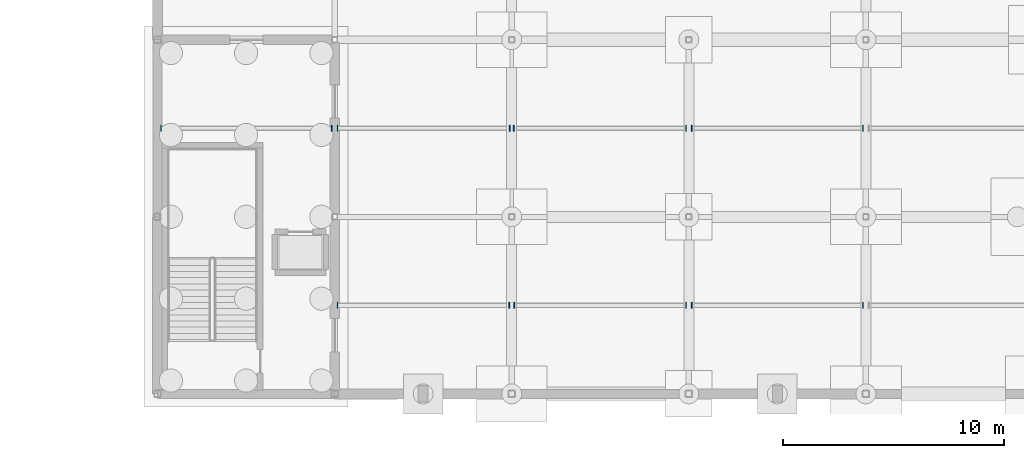
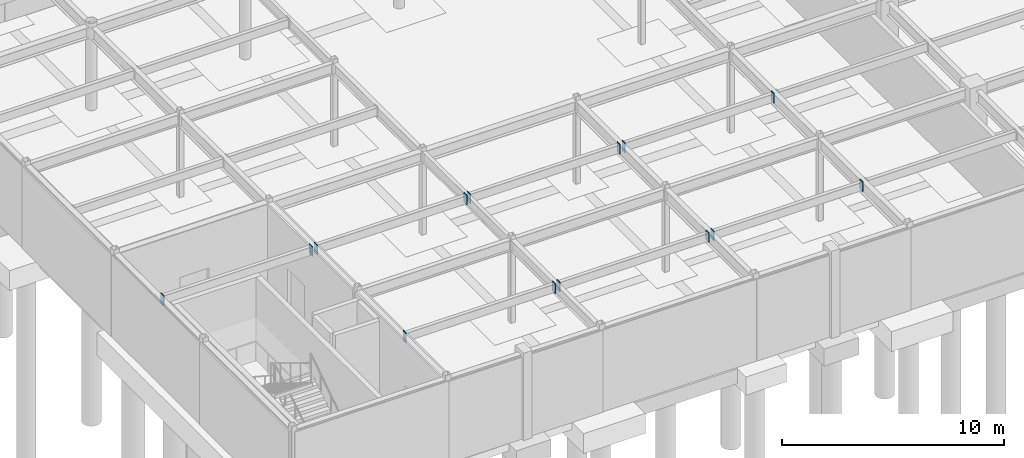
# One storey, part 63 of 105: 14 discrete accessories.
"""IFC4 building model written with IfcOpenShell, lengths in metres."""

from ifc_helpers import new_model, si_unit, direction, frame, origin, origin_2d, place, context, subcontext, project, spatial, rectangle, extrude, material, layer, layer_set, type_object, element, save


model = new_model("IFC4")

# Units and contexts
model_context = context("Model", 3, precision=1e-05, world=origin(), true_north=direction((0.0, 1.0)))
body_context = subcontext(model_context, "Body", "Model", "MODEL_VIEW")
ifc_project = project(units=[si_unit("LENGTHUNIT", "METRE"), si_unit("AREAUNIT", "SQUARE_METRE"), si_unit("VOLUMEUNIT", "CUBIC_METRE"), si_unit("PLANEANGLEUNIT", "RADIAN"), si_unit("MASSUNIT", "GRAM", prefix="KILO")], contexts=[model_context])

# Site, building, storey
site_placement = place(None, origin())
site = spatial("IfcSite", under=ifc_project, at=site_placement, CompositionType="ELEMENT")
building_placement = place(site_placement, origin())
building = spatial("IfcBuilding", under=site, at=building_placement, Name="Solmirada Galleria", CompositionType="ELEMENT")
storey_placement = place(building_placement, frame((0.0, 0.0, -4.800048828125)))
storey = spatial("IfcBuildingStorey", under=building, at=storey_placement, Name="B1", CompositionType="ELEMENT", Elevation=-4.800048828125)

# Discrete accessories
ifc_material = material(Name="Steel S355 / ASTM A572 Grade 50", Category="steel")
ifc_layer = layer(ifc_material, 0.031982421875)
ifc_layer_set = layer_set([ifc_layer], Name="Steel S355 / ASTM A572 Grade 50")
discrete_accessory_type = type_object("IfcDiscreteAccessoryType", Name="ACC-COL-CAP", PredefinedType="BRACKET", material=ifc_layer_set)
for number, where, z_axis, x_axis, name in (
    (1, (40.152587890625, 12.0, 4.08154296875), (0.0, 0.0, 1.0), (1.0, 0.0, 0.0), "Hollow joist end plate L00-06-02-L"),
    (2, (47.8720703125, 12.0, 4.08154296875), (0.0, 0.0, 1.0), (1.0, 0.0, 0.0), "Hollow joist end plate L00-06-02-R"),
    (3, (48.1279296875, 4.0, 4.08154296875), (0.0, 0.0, 1.0), (1.0, 0.0, 0.0), "Hollow joist end plate L00-07-01-L"),
    (4, (55.885986328125, 4.0, 4.08154296875), (0.0, 0.0, 1.0), (1.0, 0.0, 0.0), "Hollow joist end plate L00-07-01-R"),
    (5, (48.1279296875, 12.0, 4.08154296875), (0.0, 0.0, 1.0), (1.0, 0.0, 0.0), "Hollow joist end plate L00-07-02-L"),
    (6, (55.910888671875, 12.0, 4.08154296875), (0.0, 0.0, 1.0), (1.0, 0.0, 0.0), "Hollow joist end plate L00-07-02-R"),
    (7, (56.114013671875, 4.0, 4.08154296875), (0.0, 0.0, 1.0), (1.0, 0.0, 0.0), "Hollow joist end plate L00-08-01-L"),
    (8, (63.873046875, 4.0, 4.08154296875), (0.0, 0.0, 1.0), (1.0, 0.0, 0.0), "Hollow joist end plate L00-08-01-R"),
    (9, (56.089111328125, 12.0, 4.08154296875), (0.0, 0.0, 1.0), (1.0, 0.0, 0.0), "Hollow joist end plate L00-08-02-L"),
    (10, (63.873046875, 12.0, 4.08154296875), (0.0, 0.0, 1.0), (1.0, 0.0, 0.0), "Hollow joist end plate L00-08-02-R"),
    (11, (64.126953125, 4.0, 4.08154296875), (0.0, 0.0, 1.0), (1.0, 0.0, 0.0), "Hollow joist end plate L00-09-01-L"),
    (12, (71.8720703125, 4.0, 4.08154296875), (0.0, 0.0, 1.0), (1.0, 0.0, 0.0), "Hollow joist end plate L00-09-01-R"),
    (13, (64.126953125, 12.0, 4.08154296875), (0.0, 0.0, 1.0), (1.0, 0.0, 0.0), "Hollow joist end plate L00-09-02-L"),
    (14, (71.8720703125, 12.0, 4.08154296875), (0.0, 0.0, 1.0), (1.0, 0.0, 0.0), "Hollow joist end plate L00-09-02-R"),
):
    element("IfcDiscreteAccessory", number, at=place(storey_placement, frame(where, z_axis=z_axis, x_axis=x_axis)), inside=storey, type_object=discrete_accessory_type, Name=name, PredefinedType="BRACKET", context=body_context, shape_type="SweptSolid", body=[
        extrude(rectangle(XDim=0.035888671875, YDim=0.280029296875, at=origin_2d()), origin(), (0.0, 0.0, 1.0), 0.5400390625),
    ])

save(model, "model.ifc")
